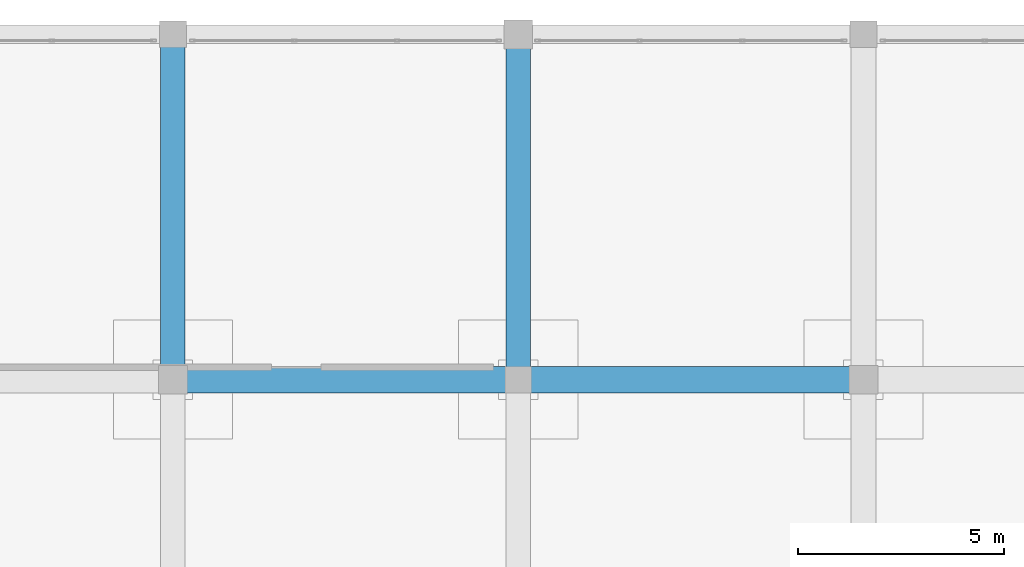
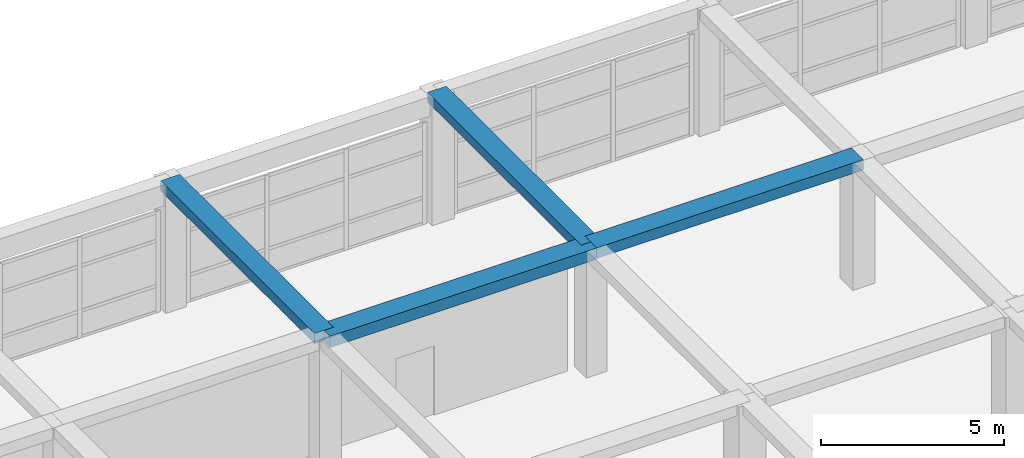
# One storey, part 49 of 85: 4 beams.
"""IFC4 building model written with IfcOpenShell, lengths in metres."""

from ifc_helpers import new_model, si_unit, direction, frame, origin, origin_2d, place, context, subcontext, project, spatial, rectangle, extrude, material, material_profile, profile_set, type_object, element, save


model = new_model("IFC4")

# Units and contexts
model_context = context("Model", 3, precision=1e-05, world=origin(), true_north=direction((0.0, 1.0)))
body_context = subcontext(model_context, "Body", "Model", "MODEL_VIEW")
ifc_project = project(units=[si_unit("LENGTHUNIT", "METRE"), si_unit("AREAUNIT", "SQUARE_METRE"), si_unit("VOLUMEUNIT", "CUBIC_METRE"), si_unit("PLANEANGLEUNIT", "RADIAN"), si_unit("MASSUNIT", "GRAM", prefix="KILO")], contexts=[model_context])

# Site, building, storey
site_placement = place(None, origin())
site = spatial("IfcSite", under=ifc_project, at=site_placement, CompositionType="ELEMENT")
building_placement = place(site_placement, origin())
building = spatial("IfcBuilding", under=site, at=building_placement, Name="Almacenes y Pasaje Nevantli", CompositionType="ELEMENT")
storey_placement = place(building_placement, frame((0.0, 0.0, 22.199951171875)))
storey = spatial("IfcBuildingStorey", under=building, at=storey_placement, Name="L05", CompositionType="ELEMENT", Elevation=22.199951171875)

# Beams
ifc_material_1 = material(Name="Concrete C35/45", Category="concrete")
ifc_material_profile_1 = material_profile(ifc_material_1, rectangle(XDim=0.60009765625, YDim=0.320068359375, at=origin_2d()), Name="RC-BM-600x320")
ifc_profile_set_1 = profile_set([ifc_material_profile_1], Name="Concrete C35/45")
beam_type_1 = type_object("IfcBeamType", Name="BM-RC-600x320", PredefinedType="BEAM", material=ifc_profile_set_1)
beam_1_placement = place(storey_placement, frame((117.60009765625, 109.199951171875, 4.06005859375), z_axis=(0.0, 1.0, 0.0), x_axis=(-1.0, 0.0, 0.0)))
element("IfcBeam", 1, at=beam_1_placement, inside=storey, type_object=beam_type_1, Name="L05 North-South Reinforced Concrete Beam #3512", PredefinedType="BEAM", context=body_context, shape_type="SweptSolid", body=[
    extrude(rectangle(XDim=0.60009765625, YDim=0.320068359375, at=origin_2d()), origin(), (0.0, 0.0, 1.0), 8.400146484375),
])
ifc_material_2 = material(Name="Concrete C35/45", Category="concrete")
ifc_material_profile_2 = material_profile(ifc_material_2, rectangle(XDim=0.60009765625, YDim=0.340087890625, at=origin_2d()), Name="RC-BM-600x340")
ifc_profile_set_2 = profile_set([ifc_material_profile_2], Name="Concrete C35/45")
beam_type_2 = type_object("IfcBeamType", Name="BM-RC-600x340", PredefinedType="BEAM", material=ifc_profile_set_2)
beam_2_placement = place(storey_placement, frame((109.199951171875, 109.199951171875, 4.050048828125), z_axis=(0.0, 1.0, 0.0), x_axis=(-1.0, 0.0, 0.0)))
element("IfcBeam", 2, at=beam_2_placement, inside=storey, type_object=beam_type_2, Name="L05 North-South Reinforced Concrete Beam #3503", PredefinedType="BEAM", context=body_context, shape_type="SweptSolid", body=[
    extrude(rectangle(XDim=0.60009765625, YDim=0.340087890625, at=origin_2d()), origin(), (0.0, 0.0, 1.0), 8.400146484375),
])
ifc_material_3 = material(Name="Concrete C35/45", Category="concrete")
ifc_material_profile_3 = material_profile(ifc_material_3, rectangle(XDim=0.64990234375, YDim=0.35009765625, at=origin_2d()), Name="RC-BM-650x350")
ifc_profile_set_3 = profile_set([ifc_material_profile_3], Name="Concrete C35/45")
beam_type_3 = type_object("IfcBeamType", Name="BM-RC-650x350", PredefinedType="BEAM", material=ifc_profile_set_3)
beam_3_placement = place(storey_placement, frame((117.60009765625, 109.199951171875, 4.045166015625), z_axis=(1.0, 0.0, 0.0), x_axis=(0.0, 1.0, 0.0)))
element("IfcBeam", 3, at=beam_3_placement, inside=storey, type_object=beam_type_3, Name="L05 East-West Reinforced Concrete Beam #3399", PredefinedType="BEAM", context=body_context, shape_type="SweptSolid", body=[
    extrude(rectangle(XDim=0.64990234375, YDim=0.35009765625, at=origin_2d()), origin(), (0.0, 0.0, 1.0), 8.39990234375),
])
ifc_material_4 = material(Name="Concrete C35/45", Category="concrete")
ifc_material_profile_4 = material_profile(ifc_material_4, rectangle(XDim=0.64990234375, YDim=0.3798828125, at=origin_2d()), Name="RC-BM-650x380")
ifc_profile_set_4 = profile_set([ifc_material_profile_4], Name="Concrete C35/45")
beam_type_4 = type_object("IfcBeamType", Name="BM-RC-650x380", PredefinedType="BEAM", material=ifc_profile_set_4)
beam_4_placement = place(storey_placement, frame((109.199951171875, 109.199951171875, 4.030029296875), z_axis=(1.0, 0.0, 0.0), x_axis=(0.0, 1.0, 0.0)))
element("IfcBeam", 4, at=beam_4_placement, inside=storey, type_object=beam_type_4, Name="L05 East-West Reinforced Concrete Beam #3398", PredefinedType="BEAM", context=body_context, shape_type="SweptSolid", body=[
    extrude(rectangle(XDim=0.64990234375, YDim=0.3798828125, at=origin_2d()), origin(), (0.0, 0.0, 1.0), 8.400146484375),
])

save(model, "model.ifc")
